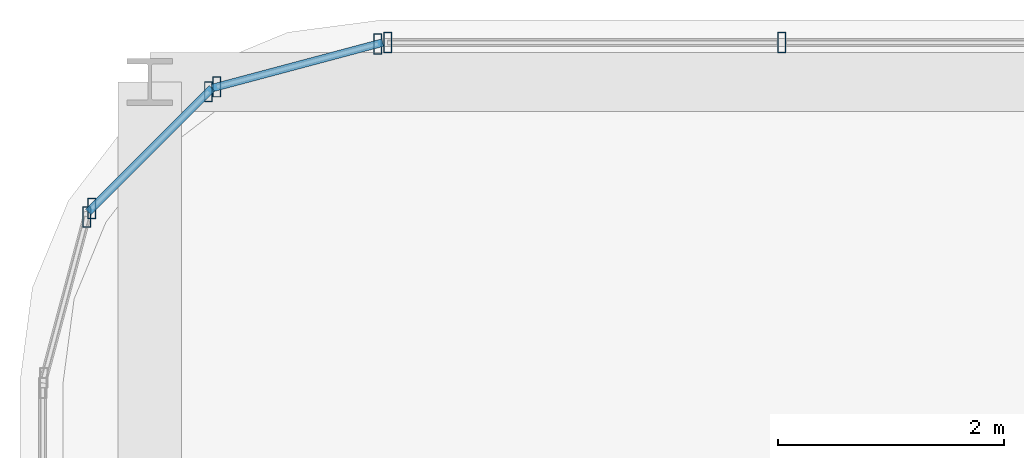
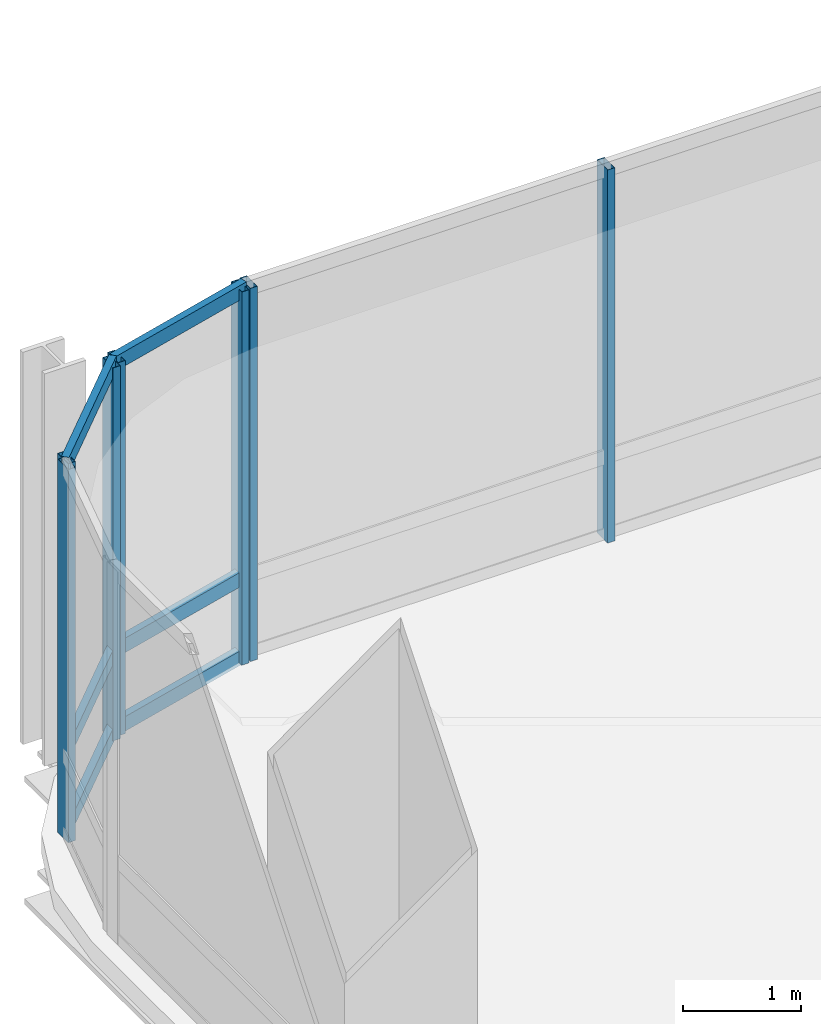
# One storey, part 24 of 39: 13 members, 4 elements without a shape of their own.
"""IFC4 building model written with IfcOpenShell, lengths in metres."""

from ifc_helpers import new_model, si_unit, direction, frame, origin, origin_2d, place, context, subcontext, project, spatial, hollow_rectangle, extrude, material, material_profile, profile_set, type_object, element, aggregate, save


model = new_model("IFC4")

# Units and contexts
model_context = context("Model", 3, precision=1e-05, world=origin(), true_north=direction((0.0, 1.0)))
body_context = subcontext(model_context, "Body", "Model", "MODEL_VIEW")
ifc_project = project(units=[si_unit("LENGTHUNIT", "METRE"), si_unit("AREAUNIT", "SQUARE_METRE"), si_unit("VOLUMEUNIT", "CUBIC_METRE"), si_unit("PLANEANGLEUNIT", "RADIAN"), si_unit("MASSUNIT", "GRAM", prefix="KILO")], contexts=[model_context])

# Site, building, storey
site_placement = place(None, origin())
site = spatial("IfcSite", under=ifc_project, at=site_placement, CompositionType="ELEMENT")
building_placement = place(site_placement, origin())
building = spatial("IfcBuilding", under=site, at=building_placement, Name="Punatoya Terracotta Tower", CompositionType="ELEMENT")
storey_placement = place(building_placement, frame((0.0, 0.0, 275.699951171875)))
storey = spatial("IfcBuildingStorey", under=building, at=storey_placement, Name="L65", CompositionType="ELEMENT", Elevation=275.699951171875)

# Curtain wall, members
ifc_material_1 = material(Name="Aluminium 6063-T6 + Double Low-E Glass", Category="aluminium")
curtain_wall_type = type_object("IfcCurtainWallType", Name="CW-M3", PredefinedType="NOTDEFINED", material=ifc_material_1)
curtain_wall_1_placement = place(storey_placement, origin())
curtain_wall_1 = element("IfcCurtainWall", 1, at=curtain_wall_1_placement, inside=storey, type_object=curtain_wall_type, Name="L65 Curtain Wall CW-L65-N09-1", PredefinedType="NOTDEFINED")
ifc_material_2 = material(Name="Aluminium 6063-T6", Category="aluminium")
ifc_material_profile_1 = material_profile(ifc_material_2, hollow_rectangle(XDim=0.070068359375, YDim=0.179931640625, WallThickness=0.00390625, at=origin_2d()))
ifc_profile_set_1 = profile_set([ifc_material_profile_1], Name="Aluminium 6063-T6")
member_type_1 = type_object("IfcMemberType", Name="CW-MUL-M3", PredefinedType="MULLION", material=ifc_profile_set_1)
member_1_placement = place(storey_placement, frame((-13.5029296875, 23.25, 0.0), z_axis=(0.0, 0.0, 1.0), x_axis=(1.0, 0.0, 0.0)))
member_1 = element("IfcMember", 2, at=member_1_placement, type_object=member_type_1, Name="CW-L65-N09-1 Mullion 10", PredefinedType="MULLION", context=body_context, shape_type="SweptSolid", body=[
    extrude(hollow_rectangle(XDim=0.070068359375, YDim=0.179931640625, WallThickness=0.00390625, at=origin_2d()), origin(), (0.0, 0.0, 1.0), 3.85009765625),
])
member_2_placement = place(storey_placement, frame((-16.991943359375, 23.25, 0.0), z_axis=(0.0, 0.0, 1.0), x_axis=(1.0, 0.0, 0.0)))
member_2 = element("IfcMember", 3, at=member_2_placement, type_object=member_type_1, Name="CW-L65-N09-1 Mullion 11", PredefinedType="MULLION", context=body_context, shape_type="SweptSolid", body=[
    extrude(hollow_rectangle(XDim=0.070068359375, YDim=0.179931640625, WallThickness=0.00390625, at=origin_2d()), origin(), (0.0, 0.0, 1.0), 3.85009765625),
])
aggregate(curtain_wall_1, [member_1, member_2])

curtain_wall_2_placement = place(storey_placement, origin())
curtain_wall_2 = element("IfcCurtainWall", 4, at=curtain_wall_2_placement, inside=storey, type_object=curtain_wall_type, Name="L65 Curtain Wall CW-L65-CRN10", PredefinedType="NOTDEFINED")
member_3_placement = place(storey_placement, frame((-17.080322265625, 23.23828125, 0.0), z_axis=(0.0, 0.0, 1.0), x_axis=(1.0, 0.0, 0.0)))
member_3 = element("IfcMember", 5, at=member_3_placement, type_object=member_type_1, Name="CW-L65-CRN10 Mullion 00", PredefinedType="MULLION", context=body_context, shape_type="SweptSolid", body=[
    extrude(hollow_rectangle(XDim=0.070068359375, YDim=0.179931640625, WallThickness=0.00390625, at=origin_2d()), origin(), (0.0, 0.0, 1.0), 3.85009765625),
])
member_4_placement = place(storey_placement, frame((-18.505615234375, 22.858154296875, 0.0), z_axis=(0.0, 0.0, 1.0), x_axis=(1.0, 0.0, 0.0)))
member_4 = element("IfcMember", 6, at=member_4_placement, type_object=member_type_1, Name="CW-L65-CRN10 Mullion 01", PredefinedType="MULLION", context=body_context, shape_type="SweptSolid", body=[
    extrude(hollow_rectangle(XDim=0.070068359375, YDim=0.179931640625, WallThickness=0.00390625, at=origin_2d()), origin(), (0.0, 0.0, 1.0), 3.85009765625),
])

curtain_wall_3_placement = place(storey_placement, origin())
curtain_wall_3 = element("IfcCurtainWall", 7, at=curtain_wall_3_placement, inside=storey, type_object=curtain_wall_type, Name="L65 Curtain Wall CW-L65-CRN11", PredefinedType="NOTDEFINED")
member_5_placement = place(storey_placement, frame((-18.580810546875, 22.814697265625, 0.0), z_axis=(0.0, 0.0, 1.0), x_axis=(1.0, 0.0, 0.0)))
member_5 = element("IfcMember", 8, at=member_5_placement, type_object=member_type_1, Name="CW-L65-CRN11 Mullion 00", PredefinedType="MULLION", context=body_context, shape_type="SweptSolid", body=[
    extrude(hollow_rectangle(XDim=0.070068359375, YDim=0.179931640625, WallThickness=0.00390625, at=origin_2d()), origin(), (0.0, 0.0, 1.0), 3.85009765625),
])
member_6_placement = place(storey_placement, frame((-19.61474609375, 21.781005859375, 0.0), z_axis=(0.0, 0.0, 1.0), x_axis=(1.0, 0.0, 0.0)))
member_6 = element("IfcMember", 9, at=member_6_placement, type_object=member_type_1, Name="CW-L65-CRN11 Mullion 01", PredefinedType="MULLION", context=body_context, shape_type="SweptSolid", body=[
    extrude(hollow_rectangle(XDim=0.070068359375, YDim=0.179931640625, WallThickness=0.00390625, at=origin_2d()), origin(), (0.0, 0.0, 1.0), 3.85009765625),
])

# Curtain wall, member
curtain_wall_4_placement = place(storey_placement, origin())
curtain_wall_4 = element("IfcCurtainWall", 10, at=curtain_wall_4_placement, inside=storey, type_object=curtain_wall_type, Name="L65 Curtain Wall CW-L65-CRN12", PredefinedType="NOTDEFINED")
member_7_placement = place(storey_placement, frame((-19.658203125, 21.70556640625, 0.0), z_axis=(0.0, 0.0, 1.0), x_axis=(1.0, 0.0, 0.0)))
member_7 = element("IfcMember", 11, at=member_7_placement, type_object=member_type_1, Name="CW-L65-CRN12 Mullion 00", PredefinedType="MULLION", context=body_context, shape_type="SweptSolid", body=[
    extrude(hollow_rectangle(XDim=0.070068359375, YDim=0.179931640625, WallThickness=0.00390625, at=origin_2d()), origin(), (0.0, 0.0, 1.0), 3.85009765625),
])
aggregate(curtain_wall_4, [member_7])

# Member
ifc_material_profile_2 = material_profile(ifc_material_2, hollow_rectangle(XDim=0.068115234375, YDim=0.14990234375, WallThickness=0.00390625, at=origin_2d()))
ifc_profile_set_2 = profile_set([ifc_material_profile_2], Name="Aluminium 6063-T6")
member_type_2 = type_object("IfcMemberType", Name="CW-TRN-TYP", PredefinedType="USERDEFINED", material=ifc_profile_set_2)
member_8_placement = place(storey_placement, frame((-17.036865234375, 23.25, 0.0400390625), z_axis=(-0.966224582397, -0.257701486942, 0.0), x_axis=(0.257701486942, -0.966224582397, 0.0)))
member_8 = element("IfcMember", 12, at=member_8_placement, type_object=member_type_2, Name="CW-L65-CRN10 Transom 1", ObjectType="TRANSOM", PredefinedType="USERDEFINED", context=body_context, shape_type="SweptSolid", body=[
    extrude(hollow_rectangle(XDim=0.068115234375, YDim=0.14990234375, WallThickness=0.00390625, at=origin_2d()), origin(), (0.0, 0.0, 1.0), 1.565185546875),
])

member_9_placement = place(storey_placement, frame((-17.036865234375, 23.25, 0.85009765625), z_axis=(-0.966224582397, -0.257701486942, 0.0), x_axis=(0.257701486942, -0.966224582397, 0.0)))
member_9 = element("IfcMember", 13, at=member_9_placement, type_object=member_type_2, Name="CW-L65-CRN10 Transom 2", ObjectType="TRANSOM", PredefinedType="USERDEFINED", context=body_context, shape_type="SweptSolid", body=[
    extrude(hollow_rectangle(XDim=0.068115234375, YDim=0.14990234375, WallThickness=0.00390625, at=origin_2d()), origin(), (0.0, 0.0, 1.0), 1.565185546875),
])

member_10_placement = place(storey_placement, frame((-17.036865234375, 23.25, 3.81005859375), z_axis=(-0.966224582397, -0.257701486942, 0.0), x_axis=(0.257701486942, -0.966224582397, 0.0)))
member_10 = element("IfcMember", 14, at=member_10_placement, type_object=member_type_2, Name="CW-L65-CRN10 Transom 3", ObjectType="TRANSOM", PredefinedType="USERDEFINED", context=body_context, shape_type="SweptSolid", body=[
    extrude(hollow_rectangle(XDim=0.068115234375, YDim=0.14990234375, WallThickness=0.00390625, at=origin_2d()), origin(), (0.0, 0.0, 1.0), 1.565185546875),
])

aggregate(curtain_wall_2, [member_3, member_4, member_8, member_9, member_10])

member_11_placement = place(storey_placement, frame((-18.549072265625, 22.8466796875, 0.0400390625), z_axis=(-0.707028130747, -0.707185422879, 0.0), x_axis=(0.707185422879, -0.707028130747, 0.0)))
member_11 = element("IfcMember", 15, at=member_11_placement, type_object=member_type_2, Name="CW-L65-CRN11 Transom 1", ObjectType="TRANSOM", PredefinedType="USERDEFINED", context=body_context, shape_type="SweptSolid", body=[
    extrude(hollow_rectangle(XDim=0.068115234375, YDim=0.14990234375, WallThickness=0.00390625, at=origin_2d()), origin(), (0.0, 0.0, 1.0), 1.55224609375),
])

member_12_placement = place(storey_placement, frame((-18.549072265625, 22.8466796875, 0.85009765625), z_axis=(-0.707028130747, -0.707185422879, 0.0), x_axis=(0.707185422879, -0.707028130747, 0.0)))
member_12 = element("IfcMember", 16, at=member_12_placement, type_object=member_type_2, Name="CW-L65-CRN11 Transom 2", ObjectType="TRANSOM", PredefinedType="USERDEFINED", context=body_context, shape_type="SweptSolid", body=[
    extrude(hollow_rectangle(XDim=0.068115234375, YDim=0.14990234375, WallThickness=0.00390625, at=origin_2d()), origin(), (0.0, 0.0, 1.0), 1.55224609375),
])

member_13_placement = place(storey_placement, frame((-18.549072265625, 22.8466796875, 3.81005859375), z_axis=(-0.707028130747, -0.707185422879, 0.0), x_axis=(0.707185422879, -0.707028130747, 0.0)))
member_13 = element("IfcMember", 17, at=member_13_placement, type_object=member_type_2, Name="CW-L65-CRN11 Transom 3", ObjectType="TRANSOM", PredefinedType="USERDEFINED", context=body_context, shape_type="SweptSolid", body=[
    extrude(hollow_rectangle(XDim=0.068115234375, YDim=0.14990234375, WallThickness=0.00390625, at=origin_2d()), origin(), (0.0, 0.0, 1.0), 1.55224609375),
])

aggregate(curtain_wall_3, [member_5, member_6, member_11, member_12, member_13])

save(model, "model.ifc")
